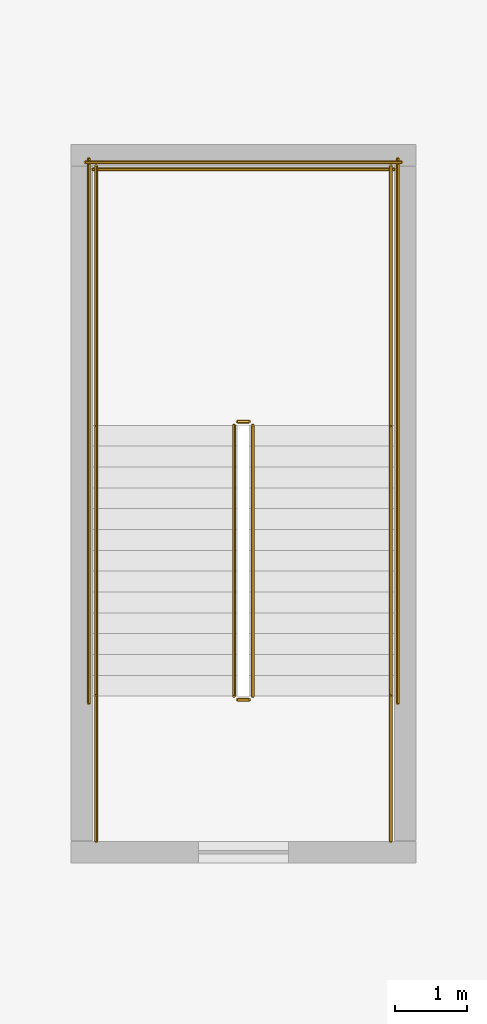
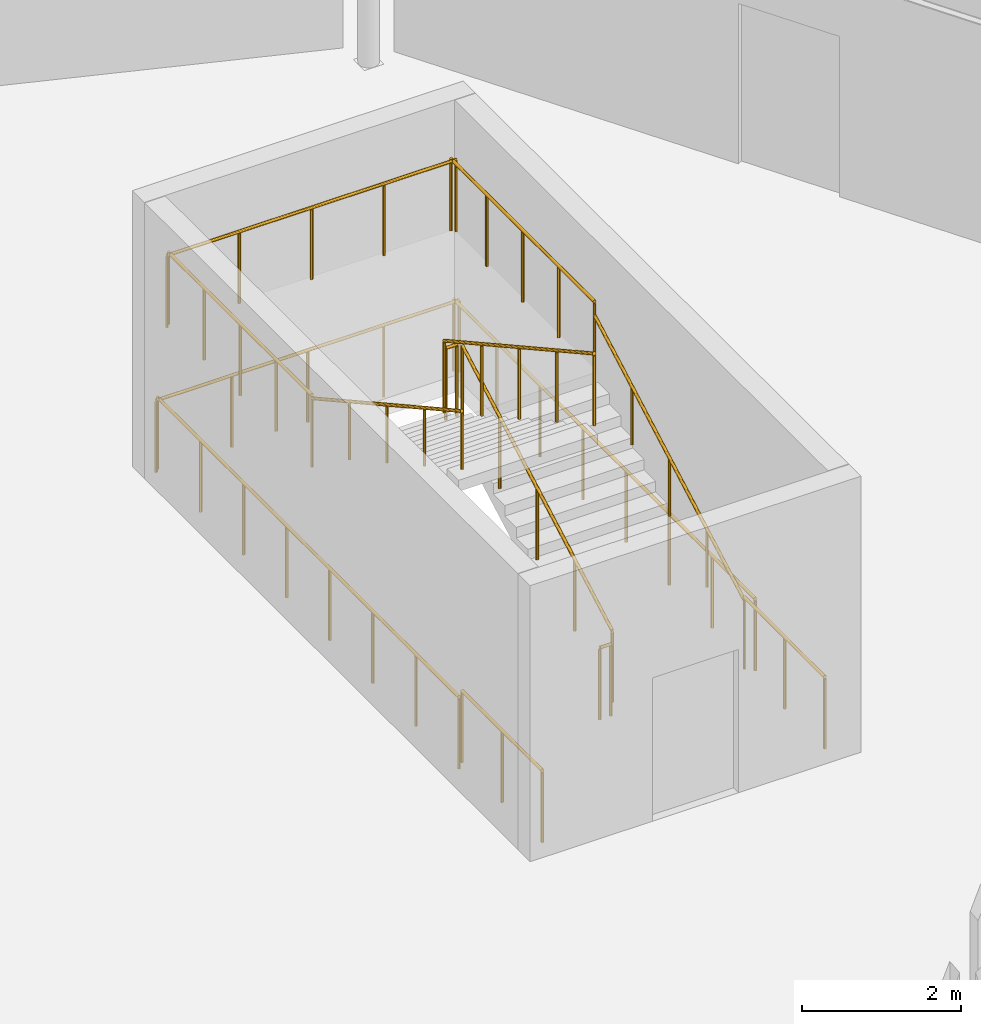
# One storey, part 88 of 88: 14 railings.
"""IFC4 building model written with IfcOpenShell, lengths in metres."""

from ifc_helpers import new_model, si_unit, direction, frame, origin, origin_2d, place, context, subcontext, project, spatial, circle, extrude, material, layer, layer_set, type_object, element, save


model = new_model("IFC4")

# Units and contexts
model_context = context("Model", 3, precision=1e-05, world=origin(), true_north=direction((0.0, 1.0)))
body_context = subcontext(model_context, "Body", "Model", "MODEL_VIEW")
ifc_project = project(units=[si_unit("LENGTHUNIT", "METRE"), si_unit("AREAUNIT", "SQUARE_METRE"), si_unit("VOLUMEUNIT", "CUBIC_METRE"), si_unit("PLANEANGLEUNIT", "RADIAN"), si_unit("MASSUNIT", "GRAM", prefix="KILO")], contexts=[model_context])

# Site, building, storey
site_placement = place(None, origin())
site = spatial("IfcSite", under=ifc_project, at=site_placement, CompositionType="ELEMENT")
building_placement = place(site_placement, origin())
building = spatial("IfcBuilding", under=site, at=building_placement, Name="Sarnbrook Museum", CompositionType="ELEMENT")
storey_placement = place(building_placement, frame((0.0, 0.0, 10.10009765625)))
storey = spatial("IfcBuildingStorey", under=building, at=storey_placement, Name="L02", CompositionType="ELEMENT", Elevation=10.10009765625)

# Railings
ifc_material = material(Name="Brushed Stainless Steel Grade 316", Category="steel")
ifc_layer_1 = layer(ifc_material, 0.050048828125)
ifc_layer_set_1 = layer_set([ifc_layer_1], Name="Brushed Stainless Steel Grade 316")
railing_type_1 = type_object("IfcRailingType", Name="Guard_Int1120", PredefinedType="BALUSTRADE", material=ifc_layer_set_1)
railing_1_placement = place(storey_placement, frame((143.929931640625, 82.52001953125, 0.16064453125)))
element("IfcRailing", 1, at=railing_1_placement, inside=storey, type_object=railing_type_1, Name="L02 ST7 stair guard 1", PredefinedType="BALUSTRADE", context=body_context, shape_type="SweptSolid", body=[
    extrude(circle(Radius=0.02392578125, at=origin_2d()), frame((0.0, 0.0, 1.09619140625), z_axis=(0.0, 0.874659101714, 0.484738543742), x_axis=(-1.0, 0.0, 0.0)), (0.0, 0.0, 1.0), 4.310302734375),
    extrude(circle(Radius=0.02099609375, at=origin_2d()), origin(), (0.0, 0.0, 1.0), 1.072021484375),
    extrude(circle(Radius=0.02099609375, at=origin_2d()), frame((0.0, 0.9423828125, 0.5224609375)), (0.0, 0.0, 1.0), 1.072021484375),
    extrude(circle(Radius=0.02099609375, at=origin_2d()), frame((0.0, 1.885009765625, 1.044677734375)), (0.0, 0.0, 1.0), 1.072021484375),
    extrude(circle(Radius=0.02099609375, at=origin_2d()), frame((0.0, 2.82763671875, 1.56689453125)), (0.0, 0.0, 1.0), 1.072021484375),
    extrude(circle(Radius=0.02099609375, at=origin_2d()), frame((0.0, 3.77001953125, 2.08935546875)), (0.0, 0.0, 1.0), 1.072021484375),
])
railing_2_placement = place(storey_placement, frame((143.8798828125, 86.340087890625, 2.25)))
element("IfcRailing", 2, at=railing_2_placement, inside=storey, type_object=railing_type_1, Name="L02 ST7 stair guard 2", PredefinedType="BALUSTRADE", context=body_context, shape_type="SweptSolid", body=[
    extrude(circle(Radius=0.02392578125, at=origin_2d()), frame((0.0, 0.0, 1.09619140625), z_axis=(-1.0, 0.0, 0.0), x_axis=(0.0, -1.0, 0.0)), (0.0, 0.0, 1.0), 0.159912109375),
    extrude(circle(Radius=0.02099609375, at=origin_2d()), origin(), (0.0, 0.0, 1.0), 1.072021484375),
    extrude(circle(Radius=0.02099609375, at=origin_2d()), frame((-0.159912109375, 0.0, 0.0)), (0.0, 0.0, 1.0), 1.072021484375),
])
for number, where, name in (
    (3, (145.85009765625, 86.2900390625, 2.25), "L02 ST7 stair guard 3"),
    (4, (141.75, 86.2900390625, 2.25), "L02 ST7 stair guard 4"),
):
    element("IfcRailing", number, at=place(storey_placement, frame(where)), inside=storey, type_object=railing_type_1, Name=name, PredefinedType="BALUSTRADE", context=body_context, shape_type="SweptSolid", body=[
        extrude(circle(Radius=0.02392578125, at=origin_2d()), frame((0.0, 0.0, 1.09619140625), z_axis=(0.0, 1.0, 0.0), x_axis=(-1.0, 0.0, 0.0)), (0.0, 0.0, 1.0), 3.60986328125),
        extrude(circle(Radius=0.02099609375, at=origin_2d()), origin(), (0.0, 0.0, 1.0), 1.072021484375),
        extrude(circle(Radius=0.02099609375, at=origin_2d()), frame((0.0, 0.90234375, 0.0)), (0.0, 0.0, 1.0), 1.072021484375),
        extrude(circle(Radius=0.02099609375, at=origin_2d()), frame((0.0, 1.804931640625, 0.0)), (0.0, 0.0, 1.0), 1.072021484375),
        extrude(circle(Radius=0.02099609375, at=origin_2d()), frame((0.0, 2.70751953125, 0.0)), (0.0, 0.0, 1.0), 1.072021484375),
        extrude(circle(Radius=0.02099609375, at=origin_2d()), frame((0.0, 3.60986328125, 0.0)), (0.0, 0.0, 1.0), 1.072021484375),
    ])
railing_3_placement = place(storey_placement, frame((145.89990234375, 89.85009765625, 2.25)))
element("IfcRailing", 5, at=railing_3_placement, inside=storey, type_object=railing_type_1, Name="L02 ST7 stair guard 5", PredefinedType="BALUSTRADE", context=body_context, shape_type="SweptSolid", body=[
    extrude(circle(Radius=0.02392578125, at=origin_2d()), frame((0.0, 0.0, 1.09619140625), z_axis=(-1.0, 0.0, 0.0), x_axis=(0.0, -1.0, 0.0)), (0.0, 0.0, 1.0), 4.199951171875),
    extrude(circle(Radius=0.02099609375, at=origin_2d()), origin(), (0.0, 0.0, 1.0), 1.072021484375),
    extrude(circle(Radius=0.02099609375, at=origin_2d()), frame((-1.050048828125, 0.0, 0.0)), (0.0, 0.0, 1.0), 1.072021484375),
    extrude(circle(Radius=0.02099609375, at=origin_2d()), frame((-2.10009765625, 0.0, 0.0)), (0.0, 0.0, 1.0), 1.072021484375),
    extrude(circle(Radius=0.02099609375, at=origin_2d()), frame((-3.14990234375, 0.0, 0.0)), (0.0, 0.0, 1.0), 1.072021484375),
    extrude(circle(Radius=0.02099609375, at=origin_2d()), frame((-4.199951171875, 0.0, 0.0)), (0.0, 0.0, 1.0), 1.072021484375),
])
railing_4_placement = place(storey_placement, frame((143.669921875, 86.2900390625, 2.41064453125)))
element("IfcRailing", 6, at=railing_4_placement, inside=storey, type_object=railing_type_1, Name="L02 ST7 stair guard 6", PredefinedType="BALUSTRADE", context=body_context, shape_type="SweptSolid", body=[
    extrude(circle(Radius=0.02392578125, at=origin_2d()), frame((0.0, 0.0, 1.09619140625), z_axis=(0.0, -0.874659101714, 0.484738543742), x_axis=(1.0, 0.0, 0.0)), (0.0, 0.0, 1.0), 4.310302734375),
    extrude(circle(Radius=0.02099609375, at=origin_2d()), origin(), (0.0, 0.0, 1.0), 1.072021484375),
    extrude(circle(Radius=0.02099609375, at=origin_2d()), frame((0.0, -0.9423828125, 0.5224609375)), (0.0, 0.0, 1.0), 1.072021484375),
    extrude(circle(Radius=0.02099609375, at=origin_2d()), frame((0.0, -1.885009765625, 1.044677734375)), (0.0, 0.0, 1.0), 1.072021484375),
    extrude(circle(Radius=0.02099609375, at=origin_2d()), frame((0.0, -2.82763671875, 1.56689453125)), (0.0, 0.0, 1.0), 1.072021484375),
    extrude(circle(Radius=0.02099609375, at=origin_2d()), frame((0.0, -3.77001953125, 2.08935546875)), (0.0, 0.0, 1.0), 1.072021484375),
])
railing_5_placement = place(storey_placement, frame((143.8798828125, 82.469970703125, 0.0)))
element("IfcRailing", 7, at=railing_5_placement, inside=storey, type_object=railing_type_1, Name="L02 ST7 stair guard 7", PredefinedType="BALUSTRADE", context=body_context, shape_type="SweptSolid", body=[
    extrude(circle(Radius=0.02392578125, at=origin_2d()), frame((0.0, 0.0, 1.09619140625), z_axis=(-1.0, 0.0, 0.0), x_axis=(0.0, -1.0, 0.0)), (0.0, 0.0, 1.0), 0.159912109375),
    extrude(circle(Radius=0.02099609375, at=origin_2d()), origin(), (0.0, 0.0, 1.0), 1.072021484375),
    extrude(circle(Radius=0.02099609375, at=origin_2d()), frame((-0.159912109375, 0.0, 0.0)), (0.0, 0.0, 1.0), 1.072021484375),
])
for number, where, name in (
    (8, (145.85009765625, 80.5, 0.0), "L02 ST7 stair guard 8"),
    (9, (141.75, 80.5, 0.0), "L02 ST7 stair guard 9"),
):
    element("IfcRailing", number, at=place(storey_placement, frame(where)), inside=storey, type_object=railing_type_1, Name=name, PredefinedType="BALUSTRADE", context=body_context, shape_type="SweptSolid", body=[
        extrude(circle(Radius=0.02392578125, at=origin_2d()), frame((0.0, 0.0, 1.09619140625), z_axis=(0.0, 1.0, 0.0), x_axis=(-1.0, 0.0, 0.0)), (0.0, 0.0, 1.0), 2.02001953125),
        extrude(circle(Radius=0.02099609375, at=origin_2d()), origin(), (0.0, 0.0, 1.0), 1.072021484375),
        extrude(circle(Radius=0.02099609375, at=origin_2d()), frame((0.0, 1.010009765625, 0.0)), (0.0, 0.0, 1.0), 1.072021484375),
        extrude(circle(Radius=0.02099609375, at=origin_2d()), frame((0.0, 2.02001953125, 0.0)), (0.0, 0.0, 1.0), 1.072021484375),
    ])
for number, where, name in (
    (10, (145.949951171875, 82.419921875, 0.0), "L02 ST7 stair guard 10"),
    (11, (141.64990234375, 82.419921875, 0.0), "L02 ST7 stair guard 11"),
):
    element("IfcRailing", number, at=place(storey_placement, frame(where)), inside=storey, type_object=railing_type_1, Name=name, PredefinedType="BALUSTRADE", context=body_context, shape_type="SweptSolid", body=[
        extrude(circle(Radius=0.02392578125, at=origin_2d()), frame((0.0, 0.0, 1.09619140625), z_axis=(0.0, 1.0, 0.0), x_axis=(-1.0, 0.0, 0.0)), (0.0, 0.0, 1.0), 7.580078125),
        extrude(circle(Radius=0.02099609375, at=origin_2d()), origin(), (0.0, 0.0, 1.0), 1.072021484375),
        extrude(circle(Radius=0.02099609375, at=origin_2d()), frame((0.0, 1.082763671875, 0.0)), (0.0, 0.0, 1.0), 1.072021484375),
        extrude(circle(Radius=0.02099609375, at=origin_2d()), frame((0.0, 2.165771484375, 0.0)), (0.0, 0.0, 1.0), 1.072021484375),
        extrude(circle(Radius=0.02099609375, at=origin_2d()), frame((0.0, 3.24853515625, 0.0)), (0.0, 0.0, 1.0), 1.072021484375),
        extrude(circle(Radius=0.02099609375, at=origin_2d()), frame((0.0, 4.33154296875, 0.0)), (0.0, 0.0, 1.0), 1.072021484375),
        extrude(circle(Radius=0.02099609375, at=origin_2d()), frame((0.0, 5.414306640625, 0.0)), (0.0, 0.0, 1.0), 1.072021484375),
        extrude(circle(Radius=0.02099609375, at=origin_2d()), frame((0.0, 6.497314453125, 0.0)), (0.0, 0.0, 1.0), 1.072021484375),
        extrude(circle(Radius=0.02099609375, at=origin_2d()), frame((0.0, 7.580078125, 0.0)), (0.0, 0.0, 1.0), 1.072021484375),
    ])
railing_6_placement = place(storey_placement, frame((146.0, 89.949951171875, 0.0)))
element("IfcRailing", 12, at=railing_6_placement, inside=storey, type_object=railing_type_1, Name="L02 ST7 stair guard 12", PredefinedType="BALUSTRADE", context=body_context, shape_type="SweptSolid", body=[
    extrude(circle(Radius=0.02392578125, at=origin_2d()), frame((0.0, 0.0, 1.09619140625), z_axis=(-1.0, 0.0, 0.0), x_axis=(0.0, -1.0, 0.0)), (0.0, 0.0, 1.0), 4.39990234375),
    extrude(circle(Radius=0.02099609375, at=origin_2d()), origin(), (0.0, 0.0, 1.0), 1.072021484375),
    extrude(circle(Radius=0.02099609375, at=origin_2d()), frame((-1.10009765625, 0.0, 0.0)), (0.0, 0.0, 1.0), 1.072021484375),
    extrude(circle(Radius=0.02099609375, at=origin_2d()), frame((-2.199951171875, 0.0, 0.0)), (0.0, 0.0, 1.0), 1.072021484375),
    extrude(circle(Radius=0.02099609375, at=origin_2d()), frame((-3.2998046875, 0.0, 0.0)), (0.0, 0.0, 1.0), 1.072021484375),
    extrude(circle(Radius=0.02099609375, at=origin_2d()), frame((-4.39990234375, 0.0, 0.0)), (0.0, 0.0, 1.0), 1.072021484375),
])
ifc_layer_2 = layer(ifc_material, 0.048095703125)
ifc_layer_set_2 = layer_set([ifc_layer_2], Name="Brushed Stainless Steel Grade 316")
railing_type_2 = type_object("IfcRailingType", Name="Handrail_920", PredefinedType="HANDRAIL", material=ifc_layer_set_2)
railing_7_placement = place(storey_placement, frame((145.85009765625, 82.52001953125, 0.16064453125)))
element("IfcRailing", 13, at=railing_7_placement, inside=storey, type_object=railing_type_2, Name="L02 ST7 stair handrail 1", PredefinedType="HANDRAIL", context=body_context, shape_type="SweptSolid", body=[
    extrude(circle(Radius=0.02392578125, at=origin_2d()), frame((0.0, 0.0, 0.8857421875), z_axis=(0.0, 0.874659101714, 0.484738543742), x_axis=(-1.0, 0.0, 0.0)), (0.0, 0.0, 1.0), 4.310302734375),
    extrude(circle(Radius=0.02099609375, at=origin_2d()), origin(), (0.0, 0.0, 1.0), 0.86181640625),
    extrude(circle(Radius=0.02099609375, at=origin_2d()), frame((0.0, 0.9423828125, 0.5224609375)), (0.0, 0.0, 1.0), 0.86181640625),
    extrude(circle(Radius=0.02099609375, at=origin_2d()), frame((0.0, 1.885009765625, 1.044677734375)), (0.0, 0.0, 1.0), 0.86181640625),
    extrude(circle(Radius=0.02099609375, at=origin_2d()), frame((0.0, 2.82763671875, 1.56689453125)), (0.0, 0.0, 1.0), 0.86181640625),
    extrude(circle(Radius=0.02099609375, at=origin_2d()), frame((0.0, 3.77001953125, 2.08935546875)), (0.0, 0.0, 1.0), 0.86181640625),
])
railing_8_placement = place(storey_placement, frame((141.75, 86.2900390625, 2.41064453125)))
element("IfcRailing", 14, at=railing_8_placement, inside=storey, type_object=railing_type_2, Name="L02 ST7 stair handrail 2", PredefinedType="HANDRAIL", context=body_context, shape_type="SweptSolid", body=[
    extrude(circle(Radius=0.02392578125, at=origin_2d()), frame((0.0, 0.0, 0.8857421875), z_axis=(0.0, -0.874659101714, 0.484738543742), x_axis=(1.0, 0.0, 0.0)), (0.0, 0.0, 1.0), 4.310302734375),
    extrude(circle(Radius=0.02099609375, at=origin_2d()), origin(), (0.0, 0.0, 1.0), 0.86181640625),
    extrude(circle(Radius=0.02099609375, at=origin_2d()), frame((0.0, -0.9423828125, 0.5224609375)), (0.0, 0.0, 1.0), 0.86181640625),
    extrude(circle(Radius=0.02099609375, at=origin_2d()), frame((0.0, -1.885009765625, 1.044677734375)), (0.0, 0.0, 1.0), 0.86181640625),
    extrude(circle(Radius=0.02099609375, at=origin_2d()), frame((0.0, -2.82763671875, 1.56689453125)), (0.0, 0.0, 1.0), 0.86181640625),
    extrude(circle(Radius=0.02099609375, at=origin_2d()), frame((0.0, -3.77001953125, 2.08935546875)), (0.0, 0.0, 1.0), 0.86181640625),
])

save(model, "model.ifc")
